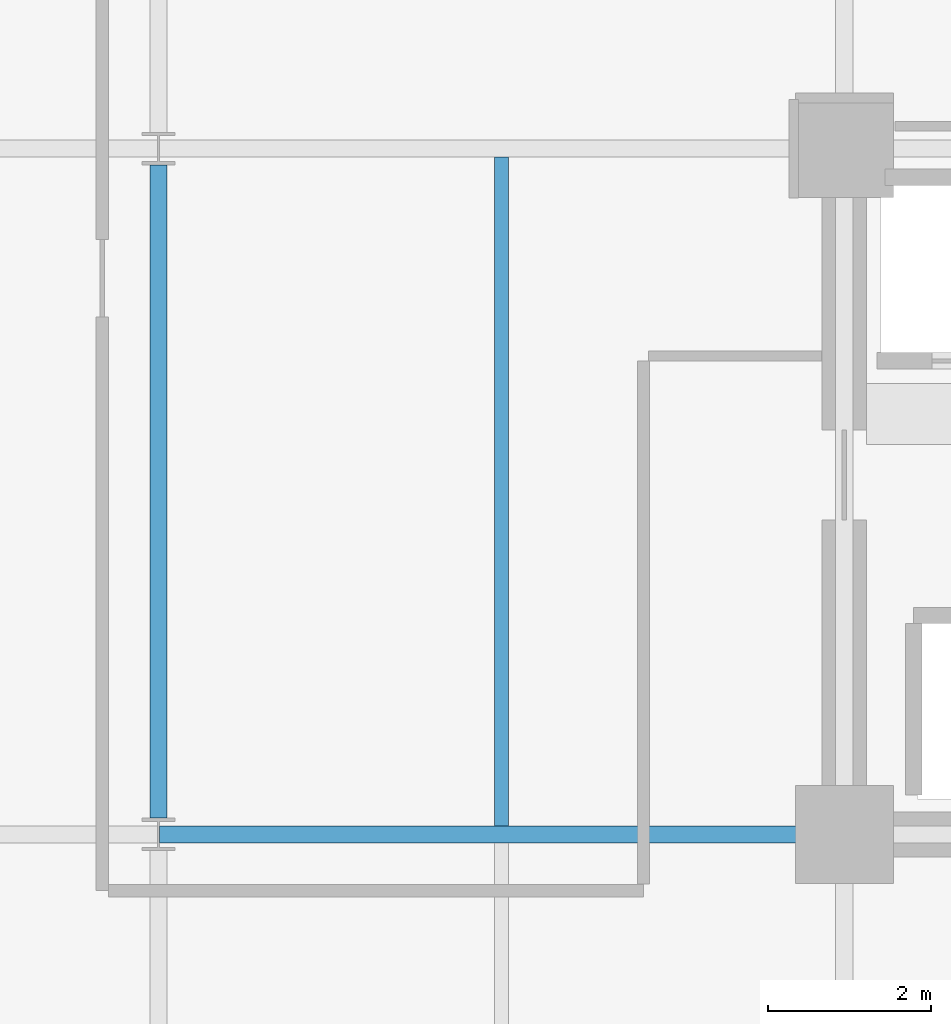
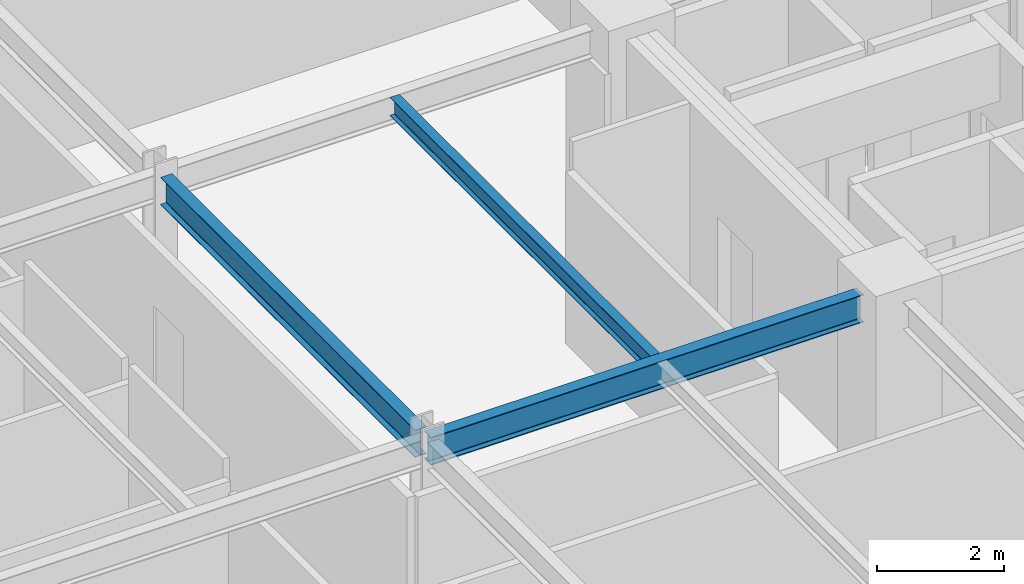
# One storey, part 5 of 29: 3 beams.
"""IFC4 building model written with IfcOpenShell, lengths in metres."""

import ifcopenshell
import ifcopenshell.guid

model = None  # the IFC model being written
_history = None  # IfcOwnerHistory: only IFC2X3 demands one
_inside = {}  # id of a spatial element -> (the spatial element, [elements in it])
_under = {}  # id of a project, library or spatial element -> (it, [spatial elements below it])
_declared = {}  # id of a project -> (the project, [libraries it declares])
_typed = {}  # id of a type object -> (the type object, [elements of that type])
_made_of = {}  # id of a material, layer set ... -> (it, [elements and type objects made of it])


def new_model(schema):
    """Start an empty IFC model of exactly this schema.

    Asked for "IFC4X3", IfcOpenShell would pick the latest addendum, in which some entities
    have other attributes; the version numbers below select the first issue.
    IFC2X3 requires an IfcOwnerHistory on every rooted entity: one is made here for all.
    """
    global model, _history
    if schema == "IFC4X3":
        model = ifcopenshell.file(schema_version=(4, 3, 0, 0))
    else:
        model = ifcopenshell.file(schema=schema)
    _inside.clear()
    _under.clear()
    _declared.clear()
    _typed.clear()
    _made_of.clear()
    _history = None
    if model.schema == "IFC2X3":
        org = make("IfcOrganization", Name="unknown")
        user = make(
            "IfcPersonAndOrganization",
            ThePerson=make("IfcPerson", FamilyName="unknown"),
            TheOrganization=org,
        )
        app = make(
            "IfcApplication",
            ApplicationDeveloper=org,
            Version="unknown",
            ApplicationFullName="unknown",
            ApplicationIdentifier="unknown",
        )
        _history = make(
            "IfcOwnerHistory",
            OwningUser=user,
            OwningApplication=app,
            ChangeAction="ADDED",
            CreationDate=0,
        )
    return model


def make(cls, **values):
    """One entity of the class cls with the attributes given. An attribute that is None is left unset."""
    return model.create_entity(
        cls, **{name: value for name, value in values.items() if value is not None}
    )


def rooted(cls, **values):
    """An entity with a GlobalId (a new one), such as an element, a storey or a relation."""
    return make(cls, GlobalId=ifcopenshell.guid.new(), OwnerHistory=_history, **values)


def si_unit(unit_type, name, prefix=None):
    """IfcSIUnit, for example si_unit("LENGTHUNIT", "METRE", prefix="MILLI")."""
    return make("IfcSIUnit", UnitType=unit_type, Prefix=prefix, Name=name)


def assignment(units):
    """IfcUnitAssignment: the units of a project."""
    return None if units is None else make("IfcUnitAssignment", Units=units)


def point(xyz):
    """IfcCartesianPoint."""
    return None if xyz is None else make("IfcCartesianPoint", Coordinates=xyz)


def direction(xyz):
    """IfcDirection."""
    return None if xyz is None else make("IfcDirection", DirectionRatios=xyz)


def frame(location, z_axis=None, x_axis=None):
    """IfcAxis2Placement3D, a coordinate frame: its origin and axes. An axis left out is left unset."""
    return make(
        "IfcAxis2Placement3D",
        Location=point(location),
        Axis=direction(z_axis),
        RefDirection=direction(x_axis),
    )


def frame_2d(location, x_axis=None):
    """IfcAxis2Placement2D, a coordinate frame in the plane: its origin and x axis."""
    return make(
        "IfcAxis2Placement2D", Location=point(location), RefDirection=direction(x_axis)
    )


def origin():
    """The frame at (0, 0, 0) with its axes left unset."""
    return frame((0.0, 0.0, 0.0))


def origin_2d():
    """The frame at (0, 0) in the plane with its x axis left unset."""
    return frame_2d((0.0, 0.0))


def place(relative_to, where):
    """IfcLocalPlacement: puts the frame where relative to a parent placement (None: the world)."""
    return make(
        "IfcLocalPlacement", PlacementRelTo=relative_to, RelativePlacement=where
    )


def context(
    kind, dimensions, precision=None, world=None, true_north=None, identifier=None
):
    """IfcGeometricRepresentationContext, for example the 3D "Model" context."""
    return make(
        "IfcGeometricRepresentationContext",
        ContextIdentifier=identifier,
        ContextType=kind,
        CoordinateSpaceDimension=dimensions,
        Precision=precision,
        WorldCoordinateSystem=world,
        TrueNorth=true_north,
    )


def subcontext(parent, identifier, kind, view, scale=None):
    """IfcGeometricRepresentationSubContext, for example "Body" below "Model"."""
    return make(
        "IfcGeometricRepresentationSubContext",
        ContextIdentifier=identifier,
        ContextType=kind,
        ParentContext=parent,
        TargetScale=scale,
        TargetView=view,
    )


def project(units=None, contexts=None):
    """IfcProject with its units and contexts."""
    return rooted(
        "IfcProject",
        Name="project",
        RepresentationContexts=contexts,
        UnitsInContext=assignment(units),
    )


def spatial(cls, under=None, at=None, **own):
    """A site, building, storey or space (cls), placed at a placement, below another one or the project."""
    s = rooted(cls, ObjectPlacement=at, **own)
    if under is not None:
        _under.setdefault(under.id(), (under, []))[1].append(s)
    return s


def profile(cls, at=None, kind="AREA", **sizes):
    """A parametric profile (cls). Its sizes go by their IFC names, for example OverallWidth=200.0."""
    return make(cls, ProfileType=kind, Position=at, **sizes)


def i_section(**sizes):
    """IfcIShapeProfileDef."""
    return profile("IfcIShapeProfileDef", **sizes)


def extrude(swept, where, along, depth):
    """IfcExtrudedAreaSolid: the profile swept, set in the frame where, extruded along a direction by depth."""
    return make(
        "IfcExtrudedAreaSolid",
        SweptArea=swept,
        Position=where,
        ExtrudedDirection=direction(along),
        Depth=depth,
    )


def shape(context_of_items, identifier, shape_type, items):
    """IfcShapeRepresentation: the items that make up one representation, for example the "Body"."""
    return make(
        "IfcShapeRepresentation",
        ContextOfItems=context_of_items,
        RepresentationIdentifier=identifier,
        RepresentationType=shape_type,
        Items=items,
    )


def material(Name=None, Category=None):
    """IfcMaterial."""
    return make("IfcMaterial", Name=Name, Category=Category)


def material_profile(
    of_material, cross_section, Name=None, Category=None, Priority=None
):
    """IfcMaterialProfile: a cross section and its material."""
    return make(
        "IfcMaterialProfile",
        Name=Name,
        Material=of_material,
        Profile=cross_section,
        Priority=Priority,
        Category=Category,
    )


def profile_set(profiles, Name=None, composite=None):
    """IfcMaterialProfileSet."""
    return make(
        "IfcMaterialProfileSet",
        Name=Name,
        MaterialProfiles=profiles,
        CompositeProfile=composite,
    )


def made_of(thing, what):
    """Note that an element or type object is made of a material, layer set ...; save() writes the relation."""
    if what is not None:
        _made_of.setdefault(what.id(), (what, []))[1].append(thing)
    return thing


def type_object(cls, material=None, **own):
    """A type object (cls), such as IfcWallType, which elements share."""
    return made_of(rooted(cls, **own), material)


def element(
    cls,
    number,
    at=None,
    inside=None,
    cuts=None,
    type_object=None,
    material=None,
    context=None,
    identifier="Body",
    shape_type=None,
    held_by="IfcProductDefinitionShape",
    body=None,
    shapes=None,
    **own,
):
    """One element of the class cls, such as IfcWall. Its Tag is "e" and its number.

    at: its placement. inside: the storey or other place that contains it. cuts: it is an
    opening in that element (IfcRelVoidsElement). A single representation is given by context,
    identifier, shape_type and body (its items); several are given by shapes. held_by: the class
    of the entity that holds the representations. save() writes the other relations.
    """
    e = rooted(cls, Tag="e%d" % number, ObjectPlacement=at, **own)
    if body is not None:
        shapes = [shape(context, identifier, shape_type, body)]
    if shapes is not None:
        e.Representation = make(held_by, Representations=shapes)
    if inside is not None:
        _inside.setdefault(inside.id(), (inside, []))[1].append(e)
    if cuts is not None:
        rooted(
            "IfcRelVoidsElement", RelatingBuildingElement=cuts, RelatedOpeningElement=e
        )
    if type_object is not None:
        _typed.setdefault(type_object.id(), (type_object, []))[1].append(e)
    return made_of(e, material)


def aggregate(whole, parts):
    """IfcRelAggregates: a whole, such as a stair, and the parts it consists of."""
    return rooted("IfcRelAggregates", RelatingObject=whole, RelatedObjects=parts)


def save(model, path):
    """Write the relations noted so far, then the file.

    IfcRelAggregates (storeys below a building ...), IfcRelContainedInSpatialStructure (elements
    in a storey), IfcRelDefinesByType, IfcRelAssociatesMaterial and IfcRelDeclares: one each for
    every whole, place, type object, material and project.
    """
    for whole, parts in _under.values():
        aggregate(whole, parts)
    for where, things in _inside.values():
        rooted(
            "IfcRelContainedInSpatialStructure",
            RelatedElements=things,
            RelatingStructure=where,
        )
    for kind, things in _typed.values():
        rooted("IfcRelDefinesByType", RelatedObjects=things, RelatingType=kind)
    for what, things in _made_of.values():
        rooted("IfcRelAssociatesMaterial", RelatedObjects=things, RelatingMaterial=what)
    for by, libraries in _declared.values():
        rooted("IfcRelDeclares", RelatingContext=by, RelatedDefinitions=libraries)
    model.write(path)


model = new_model("IFC4")

# Units and contexts
model_context = context("Model", 3, precision=1e-05, world=origin(), true_north=direction((0.0, 1.0)))
body_context = subcontext(model_context, "Body", "Model", "MODEL_VIEW")
ifc_project = project(units=[si_unit("LENGTHUNIT", "METRE"), si_unit("AREAUNIT", "SQUARE_METRE"), si_unit("VOLUMEUNIT", "CUBIC_METRE"), si_unit("PLANEANGLEUNIT", "RADIAN"), si_unit("MASSUNIT", "GRAM", prefix="KILO")], contexts=[model_context])

# Site, building, storey
site_placement = place(None, origin())
site = spatial("IfcSite", under=ifc_project, at=site_placement, CompositionType="ELEMENT")
building_placement = place(site_placement, origin())
building = spatial("IfcBuilding", under=site, at=building_placement, Name="Nerrivon Quay Data Exchange", CompositionType="ELEMENT")
storey_placement = place(building_placement, frame((0.0, 0.0, 150.0)))
storey = spatial("IfcBuildingStorey", under=building, at=storey_placement, Name="L35", CompositionType="ELEMENT", Elevation=150.0)

# Beams
ifc_material = material(Name="Steel Grade 350", Category="steel")
ifc_material_profile_1 = material_profile(ifc_material, i_section(OverallWidth=0.208984375, OverallDepth=0.532958984375, WebThickness=0.01025390625, FlangeThickness=0.015625, FilletRadius=0.013916015625, at=origin_2d()), Name="530UB92.4")
ifc_profile_set_1 = profile_set([ifc_material_profile_1], Name="Steel Grade 350")
beam_type_1 = type_object("IfcBeamType", Name="BM-G3-530UB92", PredefinedType="BEAM", material=ifc_profile_set_1)
beam_1_placement = place(storey_placement, frame((8.41259765625, 8.39990234375, 3.55859375), z_axis=(1.0, 0.0, 0.0), x_axis=(0.0, 1.0, 0.0)))
element("IfcBeam", 1, at=beam_1_placement, inside=storey, type_object=beam_type_1, Name="L35 EW Girder Y=8.4 (8.4..16.8)", PredefinedType="BEAM", context=body_context, shape_type="SweptSolid", body=[
    extrude(i_section(OverallWidth=0.208984375, OverallDepth=0.532958984375, WebThickness=0.01025390625, FlangeThickness=0.015625, FilletRadius=0.013916015625, at=origin_2d()), origin(), (0.0, 0.0, 1.0), 7.847412109375),
])
ifc_material_profile_2 = material_profile(ifc_material, i_section(OverallWidth=0.208984375, OverallDepth=0.528076171875, WebThickness=0.009521484375, FlangeThickness=0.01318359375, FilletRadius=0.013916015625, at=origin_2d()), Name="530UB82.0")
ifc_profile_set_2 = profile_set([ifc_material_profile_2], Name="Steel Grade 350")
beam_type_2 = type_object("IfcBeamType", Name="BM-G4-530UB82", PredefinedType="BEAM", material=ifc_profile_set_2)
beam_2_placement = place(storey_placement, frame((8.39990234375, 8.60009765625, 3.56103515625), z_axis=(0.0, 1.0, 0.0), x_axis=(-1.0, 0.0, 0.0)))
element("IfcBeam", 2, at=beam_2_placement, inside=storey, type_object=beam_type_2, Name="L35 NS Girder X=8.4 (8.4..16.8)", PredefinedType="BEAM", context=body_context, shape_type="SweptSolid", body=[
    extrude(i_section(OverallWidth=0.208984375, OverallDepth=0.528076171875, WebThickness=0.009521484375, FlangeThickness=0.01318359375, FilletRadius=0.013916015625, at=origin_2d()), origin(), (0.0, 0.0, 1.0), 8.0),
])
ifc_material_profile_3 = material_profile(ifc_material, i_section(OverallWidth=0.1708984375, OverallDepth=0.35595703125, WebThickness=0.00732421875, FlangeThickness=0.011474609375, FilletRadius=0.011474609375, at=origin_2d()), Name="360UB50.7")
ifc_profile_set_3 = profile_set([ifc_material_profile_3], Name="Steel Grade 350")
beam_type_3 = type_object("IfcBeamType", Name="BM-J4-360UB51", PredefinedType="JOIST", material=ifc_profile_set_3)
beam_3_placement = place(storey_placement, frame((12.60009765625, 8.50439453125, 3.64697265625), z_axis=(0.0, 1.0, 0.0), x_axis=(-1.0, 0.0, 0.0)))
element("IfcBeam", 3, at=beam_3_placement, inside=storey, type_object=beam_type_3, Name="L35 Secondary Joist X=12.6 (8.4..16.8)", PredefinedType="JOIST", context=body_context, shape_type="SweptSolid", body=[
    extrude(i_section(OverallWidth=0.1708984375, OverallDepth=0.35595703125, WebThickness=0.00732421875, FlangeThickness=0.011474609375, FilletRadius=0.011474609375, at=origin_2d()), origin(), (0.0, 0.0, 1.0), 8.191162109375),
])

save(model, "model.ifc")
